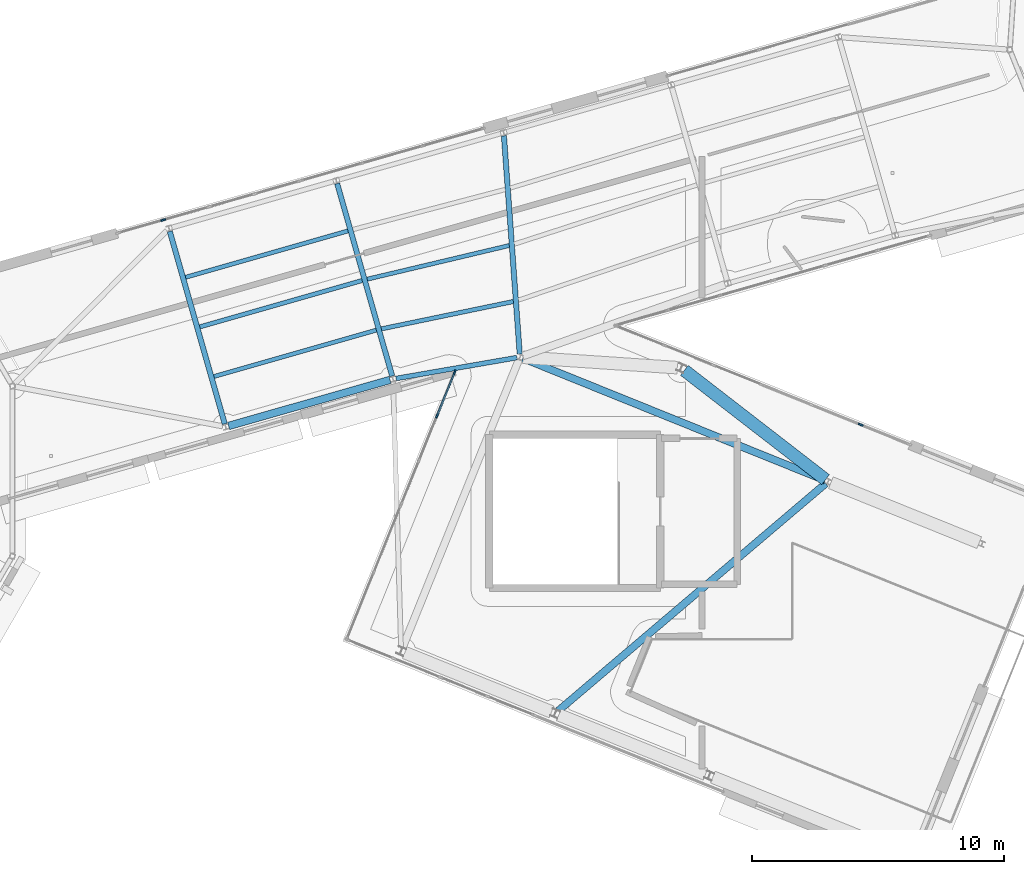
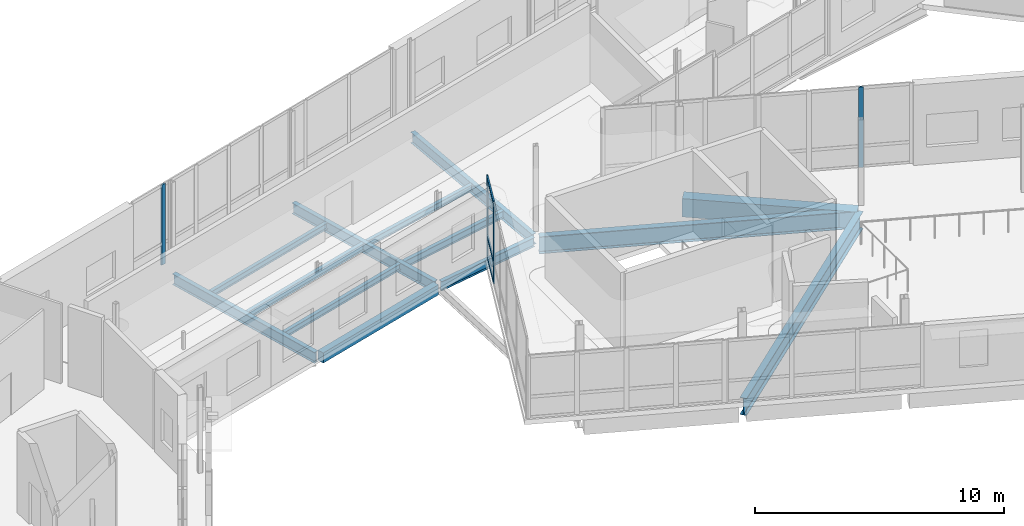
# One storey, part 43 of 125: 13 beams, 7 members, 3 elements without a shape of their own.
"""IFC4 building model written with IfcOpenShell, lengths in metres."""

from ifc_helpers import new_model, si_unit, direction, frame, origin, origin_2d, place, context, subcontext, project, spatial, rectangle, i_section, extrude, material, material_profile, profile_set, type_object, element, aggregate, save


model = new_model("IFC4")

# Units and contexts
model_context = context("Model", 3, precision=1e-05, world=origin(), true_north=direction((0.0, 1.0)))
body_context = subcontext(model_context, "Body", "Model", "MODEL_VIEW")
ifc_project = project(units=[si_unit("LENGTHUNIT", "METRE"), si_unit("AREAUNIT", "SQUARE_METRE"), si_unit("VOLUMEUNIT", "CUBIC_METRE"), si_unit("PLANEANGLEUNIT", "RADIAN"), si_unit("MASSUNIT", "GRAM", prefix="KILO")], contexts=[model_context])

# Site, building, storey
site_placement = place(None, origin())
site = spatial("IfcSite", under=ifc_project, at=site_placement, CompositionType="ELEMENT")
building_placement = place(site_placement, origin())
building = spatial("IfcBuilding", under=site, at=building_placement, Name="Wrenclough Park School", CompositionType="ELEMENT")
storey_placement = place(building_placement, frame((0.0, 0.0, 4.199951171875)))
storey = spatial("IfcBuildingStorey", under=building, at=storey_placement, Name="L01", CompositionType="ELEMENT", Elevation=4.199951171875)

# Curtain wall, members
ifc_material_1 = material(Name="Thermally broken aluminium and low-e glass curtain wall", Category="aluminium")
curtain_wall_type_1 = type_object("IfcCurtainWallType", Name="ENV-CW-03", PredefinedType="USERDEFINED", material=ifc_material_1)
curtain_wall_1_placement = place(storey_placement, origin())
curtain_wall_1 = element("IfcCurtainWall", 1, at=curtain_wall_1_placement, inside=storey, type_object=curtain_wall_type_1, Name="L01 recessed curtain wall assembly 178", ObjectType="CURTAIN WALL", PredefinedType="USERDEFINED")
ifc_material_2 = material(Name="Thermally broken anodised aluminium", Category="aluminium")
ifc_material_profile_1 = material_profile(ifc_material_2, rectangle(XDim=0.06494140625, YDim=0.179931640625, at=origin_2d()), Name="AL MULLION 65x180")
ifc_profile_set_1 = profile_set([ifc_material_profile_1], Name="Thermally broken anodised aluminium")
member_type_1 = type_object("IfcMemberType", Name="ENV-CWM-2", PredefinedType="MULLION", material=ifc_profile_set_1)
member_1_placement = place(storey_placement, frame((45.971923828125, 91.689453125, 0.0), z_axis=(0.0, 0.0, 1.0), x_axis=(-0.927185036262, 0.374603668605, 0.0)))
member_1 = element("IfcMember", 2, at=member_1_placement, type_object=member_type_1, Name="CW-03 mullion 3", PredefinedType="MULLION", context=body_context, shape_type="SweptSolid", body=[
    extrude(rectangle(XDim=0.06494140625, YDim=0.179931640625, at=origin_2d()), origin(), (0.0, 0.0, 1.0), 3.93994140625),
])
member_2_placement = place(storey_placement, frame((46.67626953125, 93.4326171875, 0.0), z_axis=(0.0, 0.0, 1.0), x_axis=(-0.927185036262, 0.374603668605, 0.0)))
member_2 = element("IfcMember", 3, at=member_2_placement, type_object=member_type_1, Name="CW-03 mullion 4", PredefinedType="MULLION", context=body_context, shape_type="SweptSolid", body=[
    extrude(rectangle(XDim=0.06494140625, YDim=0.179931640625, at=origin_2d()), origin(), (0.0, 0.0, 1.0), 3.93994140625),
])

# Curtain wall, member
curtain_wall_2_placement = place(storey_placement, origin())
curtain_wall_2 = element("IfcCurtainWall", 4, at=curtain_wall_2_placement, inside=storey, type_object=curtain_wall_type_1, Name="L01 recessed curtain wall assembly 098", ObjectType="CURTAIN WALL", PredefinedType="USERDEFINED")
ifc_material_profile_2 = material_profile(ifc_material_2, rectangle(XDim=0.070068359375, YDim=0.199951171875, at=origin_2d()), Name="AL MULLION 70x200")
ifc_profile_set_2 = profile_set([ifc_material_profile_2], Name="Thermally broken anodised aluminium")
member_type_2 = type_object("IfcMemberType", Name="ENV-CWM-3", PredefinedType="MULLION", material=ifc_profile_set_2)
member_3_placement = place(storey_placement, frame((35.09814453125, 99.47314453125, 0.0), z_axis=(0.0, 0.0, 1.0), x_axis=(-0.274726364021, 0.96152245159, 0.0)))
member_3 = element("IfcMember", 5, at=member_3_placement, type_object=member_type_2, Name="CW-03 mullion 2", PredefinedType="MULLION", context=body_context, shape_type="SweptSolid", body=[
    extrude(rectangle(XDim=0.070068359375, YDim=0.199951171875, at=origin_2d()), origin(), (0.0, 0.0, 1.0), 3.93994140625),
])
aggregate(curtain_wall_2, [member_3])

curtain_wall_type_2 = type_object("IfcCurtainWallType", Name="ENV-CW-14", PredefinedType="USERDEFINED", material=ifc_material_1)
curtain_wall_3_placement = place(storey_placement, origin())
curtain_wall_3 = element("IfcCurtainWall", 6, at=curtain_wall_3_placement, inside=storey, type_object=curtain_wall_type_2, Name="L01 recessed curtain wall assembly 173", ObjectType="CURTAIN WALL", PredefinedType="USERDEFINED")
member_4_placement = place(storey_placement, frame((62.8076171875, 91.342529296875, 0.0), z_axis=(0.0, 0.0, 1.0), x_axis=(0.374592832791, 0.927189414101, 0.0)))
member_4 = element("IfcMember", 7, at=member_4_placement, type_object=member_type_2, Name="CW-14 mullion 3", PredefinedType="MULLION", context=body_context, shape_type="SweptSolid", body=[
    extrude(rectangle(XDim=0.070068359375, YDim=0.199951171875, at=origin_2d()), origin(), (0.0, 0.0, 1.0), 3.93994140625),
])
aggregate(curtain_wall_3, [member_4])

# Member
ifc_material_profile_3 = material_profile(ifc_material_2, rectangle(XDim=0.06494140625, YDim=0.139892578125, at=origin_2d()), Name="AL TRANSOM 65x140")
ifc_profile_set_3 = profile_set([ifc_material_profile_3], Name="Thermally broken anodised aluminium")
member_type_3 = type_object("IfcMemberType", Name="ENV-CWT-2", PredefinedType="USERDEFINED", material=ifc_profile_set_3)
member_5_placement = place(storey_placement, frame((45.984130859375, 91.719482421875, 0.032470703125), z_axis=(0.374612054296, 0.927181648209, 0.0), x_axis=(-0.927181648209, 0.374612054296, 0.0)))
member_5 = element("IfcMember", 8, at=member_5_placement, type_object=member_type_3, Name="CW-03 transom 3.1", ObjectType="TRANSOM", PredefinedType="USERDEFINED", context=body_context, shape_type="SweptSolid", body=[
    extrude(rectangle(XDim=0.06494140625, YDim=0.139892578125, at=origin_2d()), origin(), (0.0, 0.0, 1.0), 1.81494140625),
])

member_6_placement = place(storey_placement, frame((45.984130859375, 91.719482421875, 1.050048828125), z_axis=(0.374612054296, 0.927181648209, 0.0), x_axis=(-0.927181648209, 0.374612054296, 0.0)))
member_6 = element("IfcMember", 9, at=member_6_placement, type_object=member_type_3, Name="CW-03 transom 3.2", ObjectType="TRANSOM", PredefinedType="USERDEFINED", context=body_context, shape_type="SweptSolid", body=[
    extrude(rectangle(XDim=0.06494140625, YDim=0.139892578125, at=origin_2d()), origin(), (0.0, 0.0, 1.0), 1.81494140625),
])

member_7_placement = place(storey_placement, frame((45.984130859375, 91.719482421875, 3.907470703125), z_axis=(0.374612054296, 0.927181648209, 0.0), x_axis=(-0.927181648209, 0.374612054296, 0.0)))
member_7 = element("IfcMember", 10, at=member_7_placement, type_object=member_type_3, Name="CW-03 transom 3.3", ObjectType="TRANSOM", PredefinedType="USERDEFINED", context=body_context, shape_type="SweptSolid", body=[
    extrude(rectangle(XDim=0.06494140625, YDim=0.139892578125, at=origin_2d()), origin(), (0.0, 0.0, 1.0), 1.81494140625),
])

aggregate(curtain_wall_1, [member_1, member_2, member_5, member_6, member_7])

# Beams
ifc_material_3 = material(Name="Concrete C32/40", Category="concrete")
ifc_material_profile_4 = material_profile(ifc_material_3, rectangle(XDim=0.300048828125, YDim=0.5, at=origin_2d()), Name="RC BEAM 300x500")
ifc_profile_set_4 = profile_set([ifc_material_profile_4], Name="Concrete C32/40")
beam_type_1 = type_object("IfcBeamType", Name="STR-BM-RC300", PredefinedType="BEAM", material=ifc_profile_set_4)
beam_1_placement = place(storey_placement, frame((37.69384765625, 91.29150390625, -0.489990234375), z_axis=(0.96152809018, 0.274706628596, 0.0), x_axis=(-0.274706628596, 0.96152809018, 0.0)))
element("IfcBeam", 11, at=beam_1_placement, inside=storey, type_object=beam_type_1, Name="W34 L01 longitudinal edge beam R1", PredefinedType="BEAM", context=body_context, shape_type="SweptSolid", body=[
    extrude(rectangle(XDim=0.300048828125, YDim=0.5, at=origin_2d()), origin(), (0.0, 0.0, 1.0), 6.671630859375),
])
ifc_material_4 = material(Name="Concrete C40/50", Category="concrete")
ifc_material_profile_5 = material_profile(ifc_material_4, rectangle(XDim=0.5, YDim=0.89990234375, at=origin_2d()), Name="RC BEAM 500x900")
ifc_profile_set_5 = profile_set([ifc_material_profile_5], Name="Concrete C40/50")
beam_type_2 = type_object("IfcBeamType", Name="STR-BM-RC500", PredefinedType="BEAM", material=ifc_profile_set_5)
beam_2_placement = place(storey_placement, frame((55.798095703125, 93.503173828125, -0.68994140625), z_axis=(0.790868718334, -0.611985841634, 0.0), x_axis=(0.611985841634, 0.790868718334, 0.0)))
element("IfcBeam", 12, at=beam_2_placement, inside=storey, type_object=beam_type_2, Name="W34 Dining Pavilion L01 frame girder 3.5", PredefinedType="BEAM", context=body_context, shape_type="SweptSolid", body=[
    extrude(rectangle(XDim=0.5, YDim=0.89990234375, at=origin_2d()), origin(), (0.0, 0.0, 1.0), 7.096923828125),
])
ifc_material_5 = material(Name="Structural steel S355", Category="steel")
ifc_material_profile_6 = material_profile(ifc_material_5, i_section(OverallWidth=0.1650390625, OverallDepth=0.303466796875, WebThickness=0.006103515625, FlangeThickness=0.01025390625, FilletRadius=0.0087890625, at=origin_2d()), Name="UKB 305x165x40")
ifc_profile_set_6 = profile_set([ifc_material_profile_6], Name="Structural steel S355")
beam_type_3 = type_object("IfcBeamType", Name="STR-BM-UKB305", PredefinedType="JOIST", material=ifc_profile_set_6)
beam_3_placement = place(storey_placement, frame((35.9873046875, 97.19970703125, -0.3916015625), z_axis=(0.961515705616, 0.274749973348, 0.0), x_axis=(-0.274749973348, 0.961515705616, 0.0)))
element("IfcBeam", 13, at=beam_3_placement, inside=storey, type_object=beam_type_3, Name="W34 L01 secondary floor joist 0049", PredefinedType="JOIST", context=body_context, shape_type="SweptSolid", body=[
    extrude(i_section(OverallWidth=0.1650390625, OverallDepth=0.303466796875, WebThickness=0.006103515625, FlangeThickness=0.01025390625, FilletRadius=0.0087890625, at=origin_2d()), origin(), (0.0, 0.0, 1.0), 6.70703125),
])
beam_4_placement = place(storey_placement, frame((37.11376953125, 93.257568359375, -0.3916015625), z_axis=(0.961522573968, 0.274725935706, 0.0), x_axis=(-0.274725935706, 0.961522573968, 0.0)))
element("IfcBeam", 14, at=beam_4_placement, inside=storey, type_object=beam_type_3, Name="W34 L01 secondary floor joist 0051", PredefinedType="JOIST", context=body_context, shape_type="SweptSolid", body=[
    extrude(i_section(OverallWidth=0.1650390625, OverallDepth=0.303466796875, WebThickness=0.006103515625, FlangeThickness=0.01025390625, FilletRadius=0.0087890625, at=origin_2d()), origin(), (0.0, 0.0, 1.0), 6.706787109375),
])
beam_5_placement = place(storey_placement, frame((43.201904296875, 97.1240234375, -0.3916015625), z_axis=(0.973022614122, 0.230709757935, 0.0), x_axis=(-0.230709757935, 0.973022614122, 0.0)))
element("IfcBeam", 15, at=beam_5_placement, inside=storey, type_object=beam_type_3, Name="W34 L01 secondary floor joist 0053", PredefinedType="JOIST", context=body_context, shape_type="SweptSolid", body=[
    extrude(i_section(OverallWidth=0.1650390625, OverallDepth=0.303466796875, WebThickness=0.006103515625, FlangeThickness=0.01025390625, FilletRadius=0.0087890625, at=origin_2d()), origin(), (0.0, 0.0, 1.0), 5.799072265625),
])
ifc_material_profile_7 = material_profile(ifc_material_5, i_section(OverallWidth=0.17138671875, OverallDepth=0.35498046875, WebThickness=0.00732421875, FlangeThickness=0.011474609375, FilletRadius=0.01025390625, at=origin_2d()), Name="UKB 356x171x51")
ifc_profile_set_7 = profile_set([ifc_material_profile_7], Name="Structural steel S355")
beam_type_4 = type_object("IfcBeamType", Name="STR-BM-UKB356", PredefinedType="JOIST", material=ifc_profile_set_7)
beam_6_placement = place(storey_placement, frame((36.550537109375, 95.228759765625, -0.41748046875), z_axis=(0.961525321241, 0.27471632025, 0.0), x_axis=(-0.27471632025, 0.961525321241, 0.0)))
element("IfcBeam", 16, at=beam_6_placement, inside=storey, type_object=beam_type_4, Name="W34 L01 secondary floor joist 0050", PredefinedType="JOIST", context=body_context, shape_type="SweptSolid", body=[
    extrude(i_section(OverallWidth=0.17138671875, OverallDepth=0.35498046875, WebThickness=0.00732421875, FlangeThickness=0.011474609375, FilletRadius=0.01025390625, at=origin_2d()), origin(), (0.0, 0.0, 1.0), 6.70703125),
])
beam_7_placement = place(storey_placement, frame((43.765625, 95.150146484375, -0.41748046875), z_axis=(0.979160722495, 0.203086876786, 0.0), x_axis=(-0.203086876786, 0.979160722495, 0.0)))
element("IfcBeam", 17, at=beam_7_placement, inside=storey, type_object=beam_type_4, Name="W34 L01 secondary floor joist 0054", PredefinedType="JOIST", context=body_context, shape_type="SweptSolid", body=[
    extrude(i_section(OverallWidth=0.17138671875, OverallDepth=0.35498046875, WebThickness=0.00732421875, FlangeThickness=0.011474609375, FilletRadius=0.01025390625, at=origin_2d()), origin(), (0.0, 0.0, 1.0), 5.350830078125),
])
ifc_material_profile_8 = material_profile(ifc_material_5, i_section(OverallWidth=0.18994140625, OverallDepth=0.453369140625, WebThickness=0.008544921875, FlangeThickness=0.0126953125, FilletRadius=0.01025390625, at=origin_2d()), Name="UKB 457x191x67")
ifc_profile_set_8 = profile_set([ifc_material_profile_8], Name="Structural steel S355")
beam_type_5 = type_object("IfcBeamType", Name="STR-BM-UKB457A", PredefinedType="BEAM", material=ifc_profile_set_8)
beam_8_placement = place(storey_placement, frame((44.3466796875, 93.1787109375, -0.466552734375), z_axis=(0.985367986227, 0.170440405183, 0.0), x_axis=(-0.170440405183, 0.985367986227, 0.0)))
element("IfcBeam", 18, at=beam_8_placement, inside=storey, type_object=beam_type_5, Name="W34 L01 longitudinal edge beam R2", PredefinedType="BEAM", context=body_context, shape_type="SweptSolid", body=[
    extrude(i_section(OverallWidth=0.18994140625, OverallDepth=0.453369140625, WebThickness=0.008544921875, FlangeThickness=0.0126953125, FilletRadius=0.01025390625, at=origin_2d()), origin(), (0.0, 0.0, 1.0), 4.873046875),
])
ifc_material_profile_9 = material_profile(ifc_material_5, i_section(OverallWidth=0.209228515625, OverallDepth=0.533203125, WebThickness=0.010009765625, FlangeThickness=0.015625, FilletRadius=0.0126953125, at=origin_2d()), Name="UKB 533x210x92")
ifc_profile_set_9 = profile_set([ifc_material_profile_9], Name="Structural steel S355")
beam_type_6 = type_object("IfcBeamType", Name="STR-BM-UKB533A", PredefinedType="BEAM", material=ifc_profile_set_9)
for number, where, z_axis, x_axis, name in (
    (19, (35.357177734375, 99.024658203125, -0.506591796875), (0.274721127897, -0.961523947641, 0.0), (0.961523947641, 0.274721127897, 0.0), "W34 L01 transverse floor beam 1"),
    (20, (42.007080078125, 100.9248046875, -0.506591796875), (0.274749499685, -0.961515840963, 0.0), (0.961515840963, 0.274749499685, 0.0), "W34 L01 transverse floor beam 2"),
):
    element("IfcBeam", number, at=place(storey_placement, frame(where, z_axis=z_axis, x_axis=x_axis)), inside=storey, type_object=beam_type_6, Name=name, PredefinedType="BEAM", context=body_context, shape_type="SweptSolid", body=[
        extrude(i_section(OverallWidth=0.209228515625, OverallDepth=0.533203125, WebThickness=0.010009765625, FlangeThickness=0.015625, FilletRadius=0.0126953125, at=origin_2d()), origin(), (0.0, 0.0, 1.0), 7.95556640625),
    ])
beam_9_placement = place(storey_placement, frame((48.63232421875, 102.8203125, -0.506591796875), z_axis=(0.072221207426, -0.997388638996, 0.0), x_axis=(0.997388638996, 0.072221207426, 0.0)))
element("IfcBeam", 21, at=beam_9_placement, inside=storey, type_object=beam_type_6, Name="W34 L01 transverse floor beam 3", PredefinedType="BEAM", context=body_context, shape_type="SweptSolid", body=[
    extrude(i_section(OverallWidth=0.209228515625, OverallDepth=0.533203125, WebThickness=0.010009765625, FlangeThickness=0.015625, FilletRadius=0.0126953125, at=origin_2d()), origin(), (0.0, 0.0, 1.0), 8.691162109375),
])
ifc_material_profile_10 = material_profile(ifc_material_5, i_section(OverallWidth=0.29248046875, OverallDepth=0.8408203125, WebThickness=0.0146484375, FlangeThickness=0.021728515625, FilletRadius=0.017822265625, at=origin_2d()), Name="UKB 838x292x194")
ifc_profile_set_10 = profile_set([ifc_material_profile_10], Name="Structural steel S355")
beam_type_7 = type_object("IfcBeamType", Name="STR-BM-UKB838", PredefinedType="BEAM", material=ifc_profile_set_10)
beam_10_placement = place(storey_placement, frame((49.382080078125, 93.984130859375, -0.660400390625), z_axis=(0.927189734479, -0.374592039794, 0.0), x_axis=(0.374592039794, 0.927189734479, 0.0)))
element("IfcBeam", 22, at=beam_10_placement, inside=storey, type_object=beam_type_7, Name="W34 Dining Pavilion L01 frame girder 1.5", PredefinedType="BEAM", context=body_context, shape_type="SweptSolid", body=[
    extrude(i_section(OverallWidth=0.29248046875, OverallDepth=0.8408203125, WebThickness=0.0146484375, FlangeThickness=0.021728515625, FilletRadius=0.017822265625, at=origin_2d()), origin(), (0.0, 0.0, 1.0), 12.95556640625),
])
beam_11_placement = place(storey_placement, frame((50.787841796875, 79.976806640625, -0.660400390625), z_axis=(0.762059825985, 0.647506618977, 0.0), x_axis=(-0.647506618977, 0.762059825985, 0.0)))
element("IfcBeam", 23, at=beam_11_placement, inside=storey, type_object=beam_type_7, Name="W34 Dining Pavilion L01 frame girder 2.5", PredefinedType="BEAM", context=body_context, shape_type="SweptSolid", body=[
    extrude(i_section(OverallWidth=0.29248046875, OverallDepth=0.8408203125, WebThickness=0.0146484375, FlangeThickness=0.021728515625, FilletRadius=0.017822265625, at=origin_2d()), origin(), (0.0, 0.0, 1.0), 13.94482421875),
])

save(model, "model.ifc")
